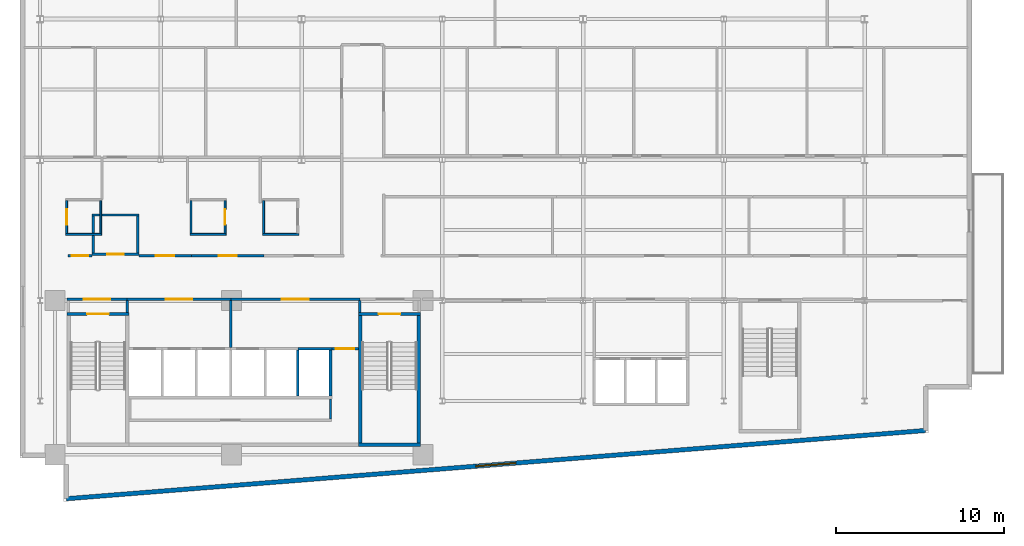
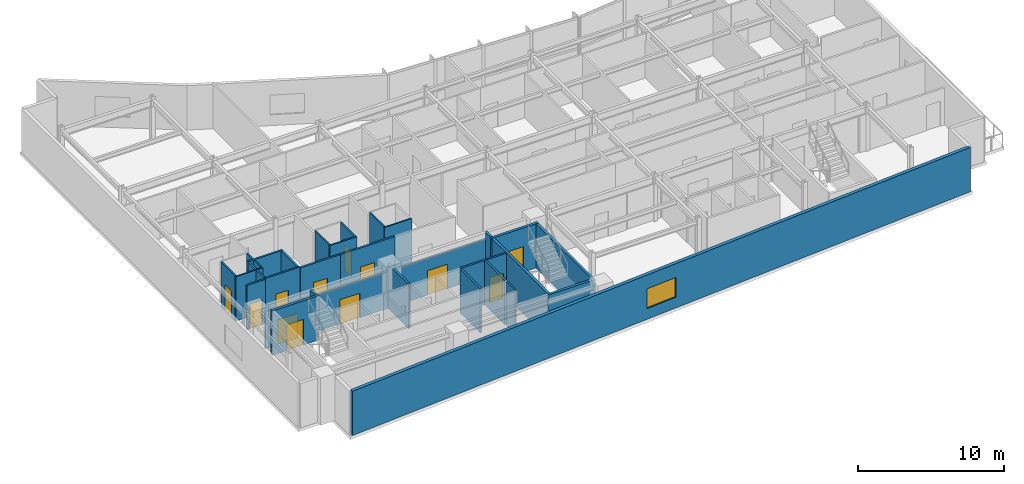
# One storey, part 9 of 17: 32 walls, 12 doors, 1 window, 13 openings.
"""IFC4 building model written with IfcOpenShell, lengths in metres."""

import ifcopenshell
import ifcopenshell.guid

model = None  # the IFC model being written
_history = None  # IfcOwnerHistory: only IFC2X3 demands one
_inside = {}  # id of a spatial element -> (the spatial element, [elements in it])
_under = {}  # id of a project, library or spatial element -> (it, [spatial elements below it])
_declared = {}  # id of a project -> (the project, [libraries it declares])
_typed = {}  # id of a type object -> (the type object, [elements of that type])
_made_of = {}  # id of a material, layer set ... -> (it, [elements and type objects made of it])


def new_model(schema):
    """Start an empty IFC model of exactly this schema.

    Asked for "IFC4X3", IfcOpenShell would pick the latest addendum, in which some entities
    have other attributes; the version numbers below select the first issue.
    IFC2X3 requires an IfcOwnerHistory on every rooted entity: one is made here for all.
    """
    global model, _history
    if schema == "IFC4X3":
        model = ifcopenshell.file(schema_version=(4, 3, 0, 0))
    else:
        model = ifcopenshell.file(schema=schema)
    _inside.clear()
    _under.clear()
    _declared.clear()
    _typed.clear()
    _made_of.clear()
    _history = None
    if model.schema == "IFC2X3":
        org = make("IfcOrganization", Name="unknown")
        user = make(
            "IfcPersonAndOrganization",
            ThePerson=make("IfcPerson", FamilyName="unknown"),
            TheOrganization=org,
        )
        app = make(
            "IfcApplication",
            ApplicationDeveloper=org,
            Version="unknown",
            ApplicationFullName="unknown",
            ApplicationIdentifier="unknown",
        )
        _history = make(
            "IfcOwnerHistory",
            OwningUser=user,
            OwningApplication=app,
            ChangeAction="ADDED",
            CreationDate=0,
        )
    return model


def make(cls, **values):
    """One entity of the class cls with the attributes given. An attribute that is None is left unset."""
    return model.create_entity(
        cls, **{name: value for name, value in values.items() if value is not None}
    )


def rooted(cls, **values):
    """An entity with a GlobalId (a new one), such as an element, a storey or a relation."""
    return make(cls, GlobalId=ifcopenshell.guid.new(), OwnerHistory=_history, **values)


def si_unit(unit_type, name, prefix=None):
    """IfcSIUnit, for example si_unit("LENGTHUNIT", "METRE", prefix="MILLI")."""
    return make("IfcSIUnit", UnitType=unit_type, Prefix=prefix, Name=name)


def assignment(units):
    """IfcUnitAssignment: the units of a project."""
    return None if units is None else make("IfcUnitAssignment", Units=units)


def point(xyz):
    """IfcCartesianPoint."""
    return None if xyz is None else make("IfcCartesianPoint", Coordinates=xyz)


def direction(xyz):
    """IfcDirection."""
    return None if xyz is None else make("IfcDirection", DirectionRatios=xyz)


def frame(location, z_axis=None, x_axis=None):
    """IfcAxis2Placement3D, a coordinate frame: its origin and axes. An axis left out is left unset."""
    return make(
        "IfcAxis2Placement3D",
        Location=point(location),
        Axis=direction(z_axis),
        RefDirection=direction(x_axis),
    )


def frame_2d(location, x_axis=None):
    """IfcAxis2Placement2D, a coordinate frame in the plane: its origin and x axis."""
    return make(
        "IfcAxis2Placement2D", Location=point(location), RefDirection=direction(x_axis)
    )


def origin():
    """The frame at (0, 0, 0) with its axes left unset."""
    return frame((0.0, 0.0, 0.0))


def place(relative_to, where):
    """IfcLocalPlacement: puts the frame where relative to a parent placement (None: the world)."""
    return make(
        "IfcLocalPlacement", PlacementRelTo=relative_to, RelativePlacement=where
    )


def context(
    kind, dimensions, precision=None, world=None, true_north=None, identifier=None
):
    """IfcGeometricRepresentationContext, for example the 3D "Model" context."""
    return make(
        "IfcGeometricRepresentationContext",
        ContextIdentifier=identifier,
        ContextType=kind,
        CoordinateSpaceDimension=dimensions,
        Precision=precision,
        WorldCoordinateSystem=world,
        TrueNorth=true_north,
    )


def subcontext(parent, identifier, kind, view, scale=None):
    """IfcGeometricRepresentationSubContext, for example "Body" below "Model"."""
    return make(
        "IfcGeometricRepresentationSubContext",
        ContextIdentifier=identifier,
        ContextType=kind,
        ParentContext=parent,
        TargetScale=scale,
        TargetView=view,
    )


def project(units=None, contexts=None):
    """IfcProject with its units and contexts."""
    return rooted(
        "IfcProject",
        Name="project",
        RepresentationContexts=contexts,
        UnitsInContext=assignment(units),
    )


def spatial(cls, under=None, at=None, **own):
    """A site, building, storey or space (cls), placed at a placement, below another one or the project."""
    s = rooted(cls, ObjectPlacement=at, **own)
    if under is not None:
        _under.setdefault(under.id(), (under, []))[1].append(s)
    return s


def profile(cls, at=None, kind="AREA", **sizes):
    """A parametric profile (cls). Its sizes go by their IFC names, for example OverallWidth=200.0."""
    return make(cls, ProfileType=kind, Position=at, **sizes)


def rectangle(**sizes):
    """IfcRectangleProfileDef."""
    return profile("IfcRectangleProfileDef", **sizes)


def extrude(swept, where, along, depth):
    """IfcExtrudedAreaSolid: the profile swept, set in the frame where, extruded along a direction by depth."""
    return make(
        "IfcExtrudedAreaSolid",
        SweptArea=swept,
        Position=where,
        ExtrudedDirection=direction(along),
        Depth=depth,
    )


def shape(context_of_items, identifier, shape_type, items):
    """IfcShapeRepresentation: the items that make up one representation, for example the "Body"."""
    return make(
        "IfcShapeRepresentation",
        ContextOfItems=context_of_items,
        RepresentationIdentifier=identifier,
        RepresentationType=shape_type,
        Items=items,
    )


def material(Name=None, Category=None):
    """IfcMaterial."""
    return make("IfcMaterial", Name=Name, Category=Category)


def layer(
    of_material, thickness, ventilated=None, Name=None, Category=None, Priority=None
):
    """IfcMaterialLayer: one layer of a wall or slab, of a material (None: an air gap)."""
    return make(
        "IfcMaterialLayer",
        Material=of_material,
        LayerThickness=thickness,
        IsVentilated=ventilated,
        Name=Name,
        Category=Category,
        Priority=Priority,
    )


def layer_set(layers, Name=None):
    """IfcMaterialLayerSet."""
    return make("IfcMaterialLayerSet", MaterialLayers=layers, LayerSetName=Name)


def made_of(thing, what):
    """Note that an element or type object is made of a material, layer set ...; save() writes the relation."""
    if what is not None:
        _made_of.setdefault(what.id(), (what, []))[1].append(thing)
    return thing


def type_object(cls, material=None, **own):
    """A type object (cls), such as IfcWallType, which elements share."""
    return made_of(rooted(cls, **own), material)


def element(
    cls,
    number,
    at=None,
    inside=None,
    cuts=None,
    type_object=None,
    material=None,
    context=None,
    identifier="Body",
    shape_type=None,
    held_by="IfcProductDefinitionShape",
    body=None,
    shapes=None,
    **own,
):
    """One element of the class cls, such as IfcWall. Its Tag is "e" and its number.

    at: its placement. inside: the storey or other place that contains it. cuts: it is an
    opening in that element (IfcRelVoidsElement). A single representation is given by context,
    identifier, shape_type and body (its items); several are given by shapes. held_by: the class
    of the entity that holds the representations. save() writes the other relations.
    """
    e = rooted(cls, Tag="e%d" % number, ObjectPlacement=at, **own)
    if body is not None:
        shapes = [shape(context, identifier, shape_type, body)]
    if shapes is not None:
        e.Representation = make(held_by, Representations=shapes)
    if inside is not None:
        _inside.setdefault(inside.id(), (inside, []))[1].append(e)
    if cuts is not None:
        rooted(
            "IfcRelVoidsElement", RelatingBuildingElement=cuts, RelatedOpeningElement=e
        )
    if type_object is not None:
        _typed.setdefault(type_object.id(), (type_object, []))[1].append(e)
    return made_of(e, material)


def fill(opening, filler):
    """IfcRelFillsElement: the door or window that sits in an opening."""
    return rooted(
        "IfcRelFillsElement",
        RelatingOpeningElement=opening,
        RelatedBuildingElement=filler,
    )


def aggregate(whole, parts):
    """IfcRelAggregates: a whole, such as a stair, and the parts it consists of."""
    return rooted("IfcRelAggregates", RelatingObject=whole, RelatedObjects=parts)


def save(model, path):
    """Write the relations noted so far, then the file.

    IfcRelAggregates (storeys below a building ...), IfcRelContainedInSpatialStructure (elements
    in a storey), IfcRelDefinesByType, IfcRelAssociatesMaterial and IfcRelDeclares: one each for
    every whole, place, type object, material and project.
    """
    for whole, parts in _under.values():
        aggregate(whole, parts)
    for where, things in _inside.values():
        rooted(
            "IfcRelContainedInSpatialStructure",
            RelatedElements=things,
            RelatingStructure=where,
        )
    for kind, things in _typed.values():
        rooted("IfcRelDefinesByType", RelatedObjects=things, RelatingType=kind)
    for what, things in _made_of.values():
        rooted("IfcRelAssociatesMaterial", RelatedObjects=things, RelatingMaterial=what)
    for by, libraries in _declared.values():
        rooted("IfcRelDeclares", RelatingContext=by, RelatedDefinitions=libraries)
    model.write(path)


model = new_model("IFC4")

# Units and contexts
model_context = context("Model", 3, precision=1e-05, world=origin(), true_north=direction((0.0, 1.0)))
body_context = subcontext(model_context, "Body", "Model", "MODEL_VIEW")
ifc_project = project(units=[si_unit("LENGTHUNIT", "METRE"), si_unit("AREAUNIT", "SQUARE_METRE"), si_unit("VOLUMEUNIT", "CUBIC_METRE"), si_unit("PLANEANGLEUNIT", "RADIAN"), si_unit("MASSUNIT", "GRAM", prefix="KILO")], contexts=[model_context])

# Site, building, storey
site_placement = place(None, origin())
site = spatial("IfcSite", under=ifc_project, at=site_placement, CompositionType="ELEMENT")
building_placement = place(site_placement, origin())
building = spatial("IfcBuilding", under=site, at=building_placement, Name="Varnakote Quay Hospital", CompositionType="ELEMENT")
storey_placement = place(building_placement, frame((0.0, 0.0, 111.25)))
storey = spatial("IfcBuildingStorey", under=building, at=storey_placement, Name="L27", CompositionType="ELEMENT", Elevation=111.25)

# Wall, opening, door
ifc_material_1 = material(Name="Fire-rated acoustic gypsum stud wall", Category="gypsum")
ifc_layer_1 = layer(ifc_material_1, 0.159912109375)
ifc_layer_set_1 = layer_set([ifc_layer_1], Name="Fire-rated acoustic gypsum stud wall")
wall_type_1 = type_object("IfcWallType", Name="WL-COMP-160", PredefinedType="PARTITIONING", material=ifc_layer_set_1)
wall_1_placement = place(storey_placement, frame((2.800048828125, 12.080078125, 0.0), z_axis=(0.0, 0.0, 1.0), x_axis=(1.0, 0.0, 0.0)))
wall_1 = element("IfcWall", 1, at=wall_1_placement, inside=storey, type_object=wall_type_1, Name="L27 West Stair Vestibule Smoke Wall", PredefinedType="PARTITIONING", context=body_context, shape_type="SweptSolid", body=[
    extrude(rectangle(XDim=3.599853515625, YDim=0.159912109375, at=frame_2d((1.7998046875, 0.0))), origin(), (0.0, 0.0, 1.0), 3.0830078125),
])
opening_1_placement = place(wall_1_placement, frame((1.0, 0.0, 0.0)))
opening_1 = element("IfcOpeningElement", 2, at=opening_1_placement, cuts=wall_1, Name="Opening D-ST1L-L27", PredefinedType="OPENING", context=body_context, shape_type="SweptSolid", body=[
    extrude(rectangle(XDim=1.60009765625, YDim=2.050048828125, at=frame_2d((0.800048828125, 1.02490234375))), frame((0.0, 0.08984375, 0.0), z_axis=(0.0, -1.0, 0.0), x_axis=(1.0, 0.0, 0.0)), (0.0, 0.0, 1.0), 0.179931640625),
])
ifc_material_2 = material(Name="Fire-rated double smoke lobby door")
door_type_1 = type_object("IfcDoorType", Name="DR-LOBBY-FD60S-1600x2150", OperationType="NOTDEFINED", PredefinedType="DOOR", material=ifc_material_2)
door_1_placement = place(opening_1_placement, origin())
door_1 = element("IfcDoor", 3, at=door_1_placement, inside=storey, type_object=door_type_1, Name="L27 West Stair Vestibule Smoke Door", OperationType="DOUBLE_DOOR_SINGLE_SWING", OverallHeight=2.050048828125, OverallWidth=1.60009765625, PredefinedType="DOOR", context=body_context, shape_type="SweptSolid", body=[
    extrude(rectangle(XDim=1.60009765625, YDim=2.050048828125, at=frame_2d((0.800048828125, 1.02490234375))), frame((0.0, 0.02490234375, 0.0), z_axis=(0.0, -1.0, 0.0), x_axis=(1.0, 0.0, 0.0)), (0.0, 0.0, 1.0), 0.050048828125),
])
fill(opening_1, door_1)

# Wall
wall_2_placement = place(storey_placement, frame((6.39990234375, 11.300048828125, 0.0), z_axis=(0.0, 0.0, 1.0), x_axis=(0.0, 1.0, 0.0)))
element("IfcWall", 4, at=wall_2_placement, inside=storey, type_object=wall_type_1, Name="L27 Firefighting Lobby West Wall", PredefinedType="PARTITIONING", context=body_context, shape_type="SweptSolid", body=[
    extrude(rectangle(XDim=0.699951171875, YDim=0.159912109375, at=frame_2d((0.35009765625, 0.0))), origin(), (0.0, 0.0, 1.0), 3.7099609375),
])

# Wall, opening, door
wall_3_placement = place(storey_placement, frame((6.39990234375, 12.080078125, 0.0), z_axis=(0.0, 0.0, 1.0), x_axis=(1.0, 0.0, 0.0)))
wall_3 = element("IfcWall", 5, at=wall_3_placement, inside=storey, type_object=wall_type_1, Name="L27 Firefighting Lift Lobby Compartment Wall", PredefinedType="PARTITIONING", context=body_context, shape_type="SweptSolid", body=[
    extrude(rectangle(XDim=6.18017578125, YDim=0.159912109375, at=frame_2d((3.090087890625, 0.0))), origin(), (0.0, 0.0, 1.0), 3.0830078125),
])
opening_2_placement = place(wall_3_placement, frame((2.2900390625, 0.0, 0.0)))
opening_2 = element("IfcOpeningElement", 6, at=opening_2_placement, cuts=wall_3, Name="Opening D-FFL-L27", PredefinedType="OPENING", context=body_context, shape_type="SweptSolid", body=[
    extrude(rectangle(XDim=1.60009765625, YDim=2.050048828125, at=frame_2d((0.800048828125, 1.02490234375))), frame((0.0, 0.08984375, 0.0), z_axis=(0.0, -1.0, 0.0), x_axis=(1.0, 0.0, 0.0)), (0.0, 0.0, 1.0), 0.179931640625),
])
door_2_placement = place(opening_2_placement, origin())
door_2 = element("IfcDoor", 7, at=door_2_placement, inside=storey, type_object=door_type_1, Name="L27 Firefighting Smoke Vestibule Door", OperationType="DOUBLE_DOOR_SINGLE_SWING", OverallHeight=2.050048828125, OverallWidth=1.60009765625, PredefinedType="DOOR", context=body_context, shape_type="SweptSolid", body=[
    extrude(rectangle(XDim=1.60009765625, YDim=2.050048828125, at=frame_2d((0.800048828125, 1.02490234375))), frame((0.0, 0.02490234375, 0.0), z_axis=(0.0, -1.0, 0.0), x_axis=(1.0, 0.0, 0.0)), (0.0, 0.0, 1.0), 0.050048828125),
])
fill(opening_2, door_2)

# Wall
wall_4_placement = place(storey_placement, frame((12.580078125, 9.2099609375, 0.0), z_axis=(0.0, 0.0, 1.0), x_axis=(0.0, 1.0, 0.0)))
element("IfcWall", 8, at=wall_4_placement, inside=storey, type_object=wall_type_1, Name="L27 Firefighting to Service Lobby Wall", PredefinedType="PARTITIONING", context=body_context, shape_type="SweptSolid", body=[
    extrude(rectangle(XDim=2.7900390625, YDim=0.159912109375, at=frame_2d((1.39501953125, 0.0))), origin(), (0.0, 0.0, 1.0), 3.7099609375),
])

# Wall, opening, door
wall_5_placement = place(storey_placement, frame((12.580078125, 12.080078125, 0.0), z_axis=(0.0, 0.0, 1.0), x_axis=(1.0, 0.0, 0.0)))
wall_5 = element("IfcWall", 9, at=wall_5_placement, inside=storey, type_object=wall_type_1, Name="L27 Clinical Bed Lift Lobby Wall", PredefinedType="PARTITIONING", context=body_context, shape_type="SweptSolid", body=[
    extrude(rectangle(XDim=7.699951171875, YDim=0.159912109375, at=frame_2d((3.85009765625, 0.0))), origin(), (0.0, 0.0, 1.0), 3.0830078125),
])
opening_3_placement = place(wall_5_placement, frame((3.050048828125, 0.0, 0.0)))
opening_3 = element("IfcOpeningElement", 10, at=opening_3_placement, cuts=wall_5, Name="Opening D-SVL-L27", PredefinedType="OPENING", context=body_context, shape_type="SweptSolid", body=[
    extrude(rectangle(XDim=1.60009765625, YDim=2.050048828125, at=frame_2d((0.800048828125, 1.02490234375))), frame((0.0, 0.08984375, 0.0), z_axis=(0.0, -1.0, 0.0), x_axis=(1.0, 0.0, 0.0)), (0.0, 0.0, 1.0), 0.179931640625),
])
door_3_placement = place(opening_3_placement, origin())
door_3 = element("IfcDoor", 11, at=door_3_placement, inside=storey, type_object=door_type_1, Name="L27 Clinical Core Smoke Vestibule Door", OperationType="DOUBLE_DOOR_SINGLE_SWING", OverallHeight=2.050048828125, OverallWidth=1.60009765625, PredefinedType="DOOR", context=body_context, shape_type="SweptSolid", body=[
    extrude(rectangle(XDim=1.60009765625, YDim=2.050048828125, at=frame_2d((0.800048828125, 1.02490234375))), frame((0.0, 0.02490234375, 0.0), z_axis=(0.0, -1.0, 0.0), x_axis=(1.0, 0.0, 0.0)), (0.0, 0.0, 1.0), 0.050048828125),
])
fill(opening_3, door_3)

# Walls
wall_6_placement = place(storey_placement, frame((20.280029296875, 11.300048828125, 0.0), z_axis=(0.0, 0.0, 1.0), x_axis=(0.0, 1.0, 0.0)))
element("IfcWall", 12, at=wall_6_placement, inside=storey, type_object=wall_type_1, Name="L27 East Stair Vestibule Divider Wall", PredefinedType="PARTITIONING", context=body_context, shape_type="SweptSolid", body=[
    extrude(rectangle(XDim=0.699951171875, YDim=0.159912109375, at=frame_2d((0.35009765625, 0.0))), origin(), (0.0, 0.0, 1.0), 3.7099609375),
])
ifc_material_3 = material(Name="Moisture-resistant bathroom partition", Category="gypsum")
ifc_layer_2 = layer(ifc_material_3, 0.114990234375)
ifc_layer_set_2 = layer_set([ifc_layer_2], Name="Moisture-resistant bathroom partition")
wall_type_2 = type_object("IfcWallType", Name="WL-ENS-115", PredefinedType="PARTITIONING", material=ifc_layer_set_2)
wall_7_placement = place(storey_placement, frame((2.72509765625, 15.952392578125, 0.0), z_axis=(0.0, 0.0, 1.0), x_axis=(1.0, 0.0, 0.0)))
element("IfcWall", 13, at=wall_7_placement, inside=storey, type_object=wall_type_2, Name="L27 Inpatient En-Suite Bathroom 01 S Wall", PredefinedType="PARTITIONING", context=body_context, shape_type="SweptSolid", body=[
    extrude(rectangle(XDim=2.14990234375, YDim=0.114990234375, at=frame_2d((1.074951171875, 0.0))), origin(), (0.0, 0.0, 1.0), 3.7099609375),
])

# Wall, opening, door
wall_8_placement = place(storey_placement, frame((2.782470703125, 16.010009765625, 0.0), z_axis=(0.0, 0.0, 1.0), x_axis=(0.0, 1.0, 0.0)))
wall_8 = element("IfcWall", 14, at=wall_8_placement, inside=storey, type_object=wall_type_2, Name="L27 Inpatient En-Suite Bathroom 01 W Wall", PredefinedType="PARTITIONING", context=body_context, shape_type="SweptSolid", body=[
    extrude(rectangle(XDim=1.949951171875, YDim=0.114990234375, at=frame_2d((0.97509765625, 0.0))), origin(), (0.0, 0.0, 1.0), 3.7099609375),
])
opening_4_placement = place(wall_8_placement, frame((0.514892578125, 0.0, 0.0)))
opening_4 = element("IfcOpeningElement", 15, at=opening_4_placement, cuts=wall_8, Name="Opening D-L27-ENS01", PredefinedType="OPENING", context=body_context, shape_type="SweptSolid", body=[
    extrude(rectangle(XDim=0.919921875, YDim=2.10009765625, at=frame_2d((0.4599609375, 1.050048828125))), frame((0.0, 0.0673828125, 0.0), z_axis=(0.0, -1.0, 0.0), x_axis=(1.0, 0.0, 0.0)), (0.0, 0.0, 1.0), 0.135009765625),
])
ifc_material_4 = material(Name="Moisture-sealed en-suite bathroom door")
door_type_2 = type_object("IfcDoorType", Name="DR-ENS-920x2100", OperationType="NOTDEFINED", PredefinedType="DOOR", material=ifc_material_4)
door_4_placement = place(opening_4_placement, origin())
door_4 = element("IfcDoor", 16, at=door_4_placement, inside=storey, type_object=door_type_2, Name="L27 Inpatient En-Suite Bathroom 01 Door", OperationType="SINGLE_SWING_RIGHT", OverallHeight=2.10009765625, OverallWidth=0.919921875, PredefinedType="DOOR", context=body_context, shape_type="SweptSolid", body=[
    extrude(rectangle(XDim=0.919921875, YDim=2.10009765625, at=frame_2d((0.4599609375, 1.050048828125))), frame((0.0, 0.02490234375, 0.0), z_axis=(0.0, -1.0, 0.0), x_axis=(1.0, 0.0, 0.0)), (0.0, 0.0, 1.0), 0.050048828125),
])
fill(opening_4, door_4)

# Walls
wall_9_placement = place(storey_placement, frame((4.8173828125, 16.010009765625, 0.0), z_axis=(0.0, 0.0, 1.0), x_axis=(0.0, 1.0, 0.0)))
element("IfcWall", 17, at=wall_9_placement, inside=storey, type_object=wall_type_2, Name="L27 Inpatient En-Suite Bathroom 01 E Wall", PredefinedType="PARTITIONING", context=body_context, shape_type="SweptSolid", body=[
    extrude(rectangle(XDim=1.949951171875, YDim=0.114990234375, at=frame_2d((0.97509765625, 0.0))), origin(), (0.0, 0.0, 1.0), 3.7099609375),
])
wall_10_placement = place(storey_placement, frame((10.14501953125, 15.952392578125, 0.0), z_axis=(0.0, 0.0, 1.0), x_axis=(1.0, 0.0, 0.0)))
element("IfcWall", 18, at=wall_10_placement, inside=storey, type_object=wall_type_2, Name="L27 Inpatient En-Suite Bathroom 02 S Wall", PredefinedType="PARTITIONING", context=body_context, shape_type="SweptSolid", body=[
    extrude(rectangle(XDim=2.14990234375, YDim=0.114990234375, at=frame_2d((1.074951171875, 0.0))), origin(), (0.0, 0.0, 1.0), 3.7099609375),
])
wall_11_placement = place(storey_placement, frame((10.202392578125, 16.010009765625, 0.0), z_axis=(0.0, 0.0, 1.0), x_axis=(0.0, 1.0, 0.0)))
element("IfcWall", 19, at=wall_11_placement, inside=storey, type_object=wall_type_2, Name="L27 Inpatient En-Suite Bathroom 02 W Wall", PredefinedType="PARTITIONING", context=body_context, shape_type="SweptSolid", body=[
    extrude(rectangle(XDim=1.949951171875, YDim=0.114990234375, at=frame_2d((0.97509765625, 0.0))), origin(), (0.0, 0.0, 1.0), 3.7099609375),
])

# Wall, opening, door
wall_12_placement = place(storey_placement, frame((12.237548828125, 16.010009765625, 0.0), z_axis=(0.0, 0.0, 1.0), x_axis=(0.0, 1.0, 0.0)))
wall_12 = element("IfcWall", 20, at=wall_12_placement, inside=storey, type_object=wall_type_2, Name="L27 Inpatient En-Suite Bathroom 02 E Wall", PredefinedType="PARTITIONING", context=body_context, shape_type="SweptSolid", body=[
    extrude(rectangle(XDim=1.949951171875, YDim=0.114990234375, at=frame_2d((0.97509765625, 0.0))), origin(), (0.0, 0.0, 1.0), 3.7099609375),
])
opening_5_placement = place(wall_12_placement, frame((0.514892578125, 0.0, 0.0)))
opening_5 = element("IfcOpeningElement", 21, at=opening_5_placement, cuts=wall_12, Name="Opening D-L27-ENS02", PredefinedType="OPENING", context=body_context, shape_type="SweptSolid", body=[
    extrude(rectangle(XDim=0.919921875, YDim=2.10009765625, at=frame_2d((0.4599609375, 1.050048828125))), frame((0.0, 0.0673828125, 0.0), z_axis=(0.0, -1.0, 0.0), x_axis=(1.0, 0.0, 0.0)), (0.0, 0.0, 1.0), 0.135009765625),
])
door_5_placement = place(opening_5_placement, origin())
door_5 = element("IfcDoor", 22, at=door_5_placement, inside=storey, type_object=door_type_2, Name="L27 Inpatient En-Suite Bathroom 02 Door", OperationType="SINGLE_SWING_LEFT", OverallHeight=2.10009765625, OverallWidth=0.919921875, PredefinedType="DOOR", context=body_context, shape_type="SweptSolid", body=[
    extrude(rectangle(XDim=0.919921875, YDim=2.10009765625, at=frame_2d((0.4599609375, 1.050048828125))), frame((0.0, 0.02490234375, 0.0), z_axis=(0.0, -1.0, 0.0), x_axis=(1.0, 0.0, 0.0)), (0.0, 0.0, 1.0), 0.050048828125),
])
fill(opening_5, door_5)

# Walls
wall_13_placement = place(storey_placement, frame((14.485107421875, 15.952392578125, 0.0), z_axis=(0.0, 0.0, 1.0), x_axis=(1.0, 0.0, 0.0)))
element("IfcWall", 23, at=wall_13_placement, inside=storey, type_object=wall_type_2, Name="L27 Inpatient En-Suite Bathroom 03 S Wall", PredefinedType="PARTITIONING", context=body_context, shape_type="SweptSolid", body=[
    extrude(rectangle(XDim=2.14990234375, YDim=0.114990234375, at=frame_2d((1.074951171875, 0.0))), origin(), (0.0, 0.0, 1.0), 3.7099609375),
])
wall_14_placement = place(storey_placement, frame((14.54248046875, 16.010009765625, 0.0), z_axis=(0.0, 0.0, 1.0), x_axis=(0.0, 1.0, 0.0)))
element("IfcWall", 24, at=wall_14_placement, inside=storey, type_object=wall_type_2, Name="L27 Inpatient En-Suite Bathroom 03 W Wall", PredefinedType="PARTITIONING", context=body_context, shape_type="SweptSolid", body=[
    extrude(rectangle(XDim=1.949951171875, YDim=0.114990234375, at=frame_2d((0.97509765625, 0.0))), origin(), (0.0, 0.0, 1.0), 3.7099609375),
])

# Wall, opening, window
ifc_material_5 = material(Name="Precast concrete N50 (f'c 50 MPa)", Category="concrete")
ifc_layer_3 = layer(ifc_material_5, 0.260009765625)
ifc_layer_set_3 = layer_set([ifc_layer_3], Name="Precast concrete N50 (f'c 50 MPa)")
wall_type_3 = type_object("IfcWallType", Name="WL-EXT-BRICK-260", PredefinedType="STANDARD", material=ifc_layer_set_3)
wall_15_placement = place(storey_placement, frame((2.760009765625, 0.173095703125, 0.0), z_axis=(0.0, 0.0, 1.0), x_axis=(0.996857931723, 0.079210251617, 0.0)))
wall_15 = element("IfcWall", 25, at=wall_15_placement, inside=storey, type_object=wall_type_3, Name="L27 Brick-Faced Precast Exterior Wall", PredefinedType="STANDARD", context=body_context, shape_type="SweptSolid", body=[
    extrude(rectangle(XDim=51.441650390625, YDim=0.260009765625, at=frame_2d((25.720703125, 0.0))), origin(), (0.0, 0.0, 1.0), 3.7099609375),
])
opening_6_placement = place(wall_15_placement, frame((24.520751953125, 0.0, 0.89990234375)))
opening_6 = element("IfcOpeningElement", 26, at=opening_6_placement, cuts=wall_15, Name="Opening WN-0118", PredefinedType="OPENING", context=body_context, shape_type="SweptSolid", body=[
    extrude(rectangle(XDim=2.39990234375, YDim=1.64990234375, at=frame_2d((1.199951171875, 0.824951171875))), frame((0.0, 0.139892578125, 0.0), z_axis=(0.0, -1.0, 0.0), x_axis=(1.0, 0.0, 0.0)), (0.0, 0.0, 1.0), 0.280029296875),
])
ifc_material_6 = material(Name="Double-glazed low-E solar glass", Category="glass")
window_type = type_object("IfcWindowType", Name="WIN-CLIN-2400x1650", PartitioningType="SINGLE_PANEL", PredefinedType="WINDOW", material=ifc_material_6)
window_placement = place(opening_6_placement, origin())
window = element("IfcWindow", 27, at=window_placement, inside=storey, type_object=window_type, Name="L27 Solar-Control Clinical Window", OverallHeight=1.64990234375, OverallWidth=2.39990234375, PartitioningType="SINGLE_PANEL", PredefinedType="WINDOW", context=body_context, shape_type="SweptSolid", body=[
    extrude(rectangle(XDim=2.39990234375, YDim=1.64990234375, at=frame_2d((1.199951171875, 0.824951171875))), frame((0.0, 0.030029296875, 0.0), z_axis=(0.0, -1.0, 0.0), x_axis=(1.0, 0.0, 0.0)), (0.0, 0.0, 1.0), 0.06005859375),
])
fill(opening_6, window)

# Walls
ifc_material_7 = material(Name="Concrete N50 (f'c 50 MPa)", Category="concrete")
ifc_layer_4 = layer(ifc_material_7, 0.14990234375)
ifc_layer_set_4 = layer_set([ifc_layer_4], Name="Concrete N50 (f'c 50 MPa)")
wall_type_4 = type_object("IfcWallType", Name="WL-SHAFT-N50-150", PredefinedType="SHEAR", material=ifc_layer_set_4)
wall_16_placement = place(storey_placement, frame((16.574951171875, 6.300048828125, 0.0), z_axis=(0.0, 0.0, 1.0), x_axis=(0.0, 1.0, 0.0)))
element("IfcWall", 28, at=wall_16_placement, inside=storey, type_object=wall_type_4, Name="L27 LF-PH1 Hoistway Divider Wall", PredefinedType="SHEAR", context=body_context, shape_type="SweptSolid", body=[
    extrude(rectangle(XDim=2.75, YDim=0.14990234375, at=frame_2d((1.375, 0.0))), origin(), (0.0, 0.0, 1.0), 3.7099609375),
])
ifc_material_8 = material(Name="Concrete N50 (f'c 50 MPa)", Category="concrete")
ifc_layer_5 = layer(ifc_material_8, 0.159912109375)
ifc_layer_set_5 = layer_set([ifc_layer_5], Name="Concrete N50 (f'c 50 MPa)")
wall_type_5 = type_object("IfcWallType", Name="WL-SHAFT-N50-160", PredefinedType="SHEAR", material=ifc_layer_set_5)
wall_17_placement = place(storey_placement, frame((18.530029296875, 6.300048828125, 0.0), z_axis=(0.0, 0.0, 1.0), x_axis=(0.0, 1.0, 0.0)))
element("IfcWall", 29, at=wall_17_placement, inside=storey, type_object=wall_type_5, Name="L27 REAR Lift Bank East Shear Wall", PredefinedType="SHEAR", context=body_context, shape_type="SweptSolid", body=[
    extrude(rectangle(XDim=2.75, YDim=0.159912109375, at=frame_2d((1.375, 0.0))), origin(), (0.0, 0.0, 1.0), 3.7099609375),
])
wall_18_placement = place(storey_placement, frame((16.574951171875, 9.1298828125, 0.0), z_axis=(0.0, 0.0, 1.0), x_axis=(1.0, 0.0, 0.0)))
element("IfcWall", 30, at=wall_18_placement, inside=storey, type_object=wall_type_5, Name="L27 LF-PH2 Hoistway Front Wall", PredefinedType="SHEAR", context=body_context, shape_type="SweptSolid", body=[
    extrude(rectangle(XDim=2.03515625, YDim=0.159912109375, at=frame_2d((1.017578125, 0.0))), origin(), (0.0, 0.0, 1.0), 3.7099609375),
])

# Wall, opening, door
ifc_material_9 = material(Name="Concrete N50 (f'c 50 MPa)", Category="concrete")
ifc_layer_6 = layer(ifc_material_9, 0.199951171875)
ifc_layer_set_6 = layer_set([ifc_layer_6], Name="Concrete N50 (f'c 50 MPa)")
wall_type_6 = type_object("IfcWallType", Name="WL-SHAFT-N50-200", PredefinedType="SHEAR", material=ifc_layer_set_6)
wall_19_placement = place(storey_placement, frame((2.800048828125, 11.199951171875, 0.0), z_axis=(0.0, 0.0, 1.0), x_axis=(1.0, 0.0, 0.0)))
wall_19 = element("IfcWall", 31, at=wall_19_placement, inside=storey, type_object=wall_type_6, Name="L27 Stair ST1 Exit Wall", PredefinedType="SHEAR", context=body_context, shape_type="SweptSolid", body=[
    extrude(rectangle(XDim=3.699951171875, YDim=0.199951171875, at=frame_2d((1.85009765625, 0.0))), origin(), (0.0, 0.0, 1.0), 3.7099609375),
])
opening_7_placement = place(wall_19_placement, frame((1.199951171875, 0.0, 0.0)))
opening_7 = element("IfcOpeningElement", 32, at=opening_7_placement, cuts=wall_19, Name="Opening D-ST1-L27", PredefinedType="OPENING", context=body_context, shape_type="SweptSolid", body=[
    extrude(rectangle(XDim=1.300048828125, YDim=2.14990234375, at=frame_2d((0.64990234375, 1.074951171875))), frame((0.0, 0.10986328125, 0.0), z_axis=(0.0, -1.0, 0.0), x_axis=(1.0, 0.0, 0.0)), (0.0, 0.0, 1.0), 0.219970703125),
])
ifc_material_10 = material(Name="Fire-rated ceramic-glazed timber exit door", Category="wood")
door_type_3 = type_object("IfcDoorType", Name="DR-STAIR-FD60S-1300x2150", OperationType="NOTDEFINED", PredefinedType="DOOR", material=ifc_material_10)
door_6_placement = place(opening_7_placement, origin())
door_6 = element("IfcDoor", 33, at=door_6_placement, inside=storey, type_object=door_type_3, Name="L27 Stair ST1 Fire Exit Door", OperationType="SINGLE_SWING_RIGHT", OverallHeight=2.14990234375, OverallWidth=1.300048828125, PredefinedType="DOOR", context=body_context, shape_type="SweptSolid", body=[
    extrude(rectangle(XDim=1.300048828125, YDim=2.14990234375, at=frame_2d((0.64990234375, 1.074951171875))), frame((0.0, 0.02490234375, 0.0), z_axis=(0.0, -1.0, 0.0), x_axis=(1.0, 0.0, 0.0)), (0.0, 0.0, 1.0), 0.050048828125),
])
fill(opening_7, door_6)

# Walls
wall_20_placement = place(storey_placement, frame((20.199951171875, 3.39990234375, 0.0), z_axis=(0.0, 0.0, 1.0), x_axis=(1.0, 0.0, 0.0)))
element("IfcWall", 34, at=wall_20_placement, inside=storey, type_object=wall_type_6, Name="L27 Stair ST2 South Shaft Wall", PredefinedType="SHEAR", context=body_context, shape_type="SweptSolid", body=[
    extrude(rectangle(XDim=3.699951171875, YDim=0.199951171875, at=frame_2d((1.85009765625, 0.0))), origin(), (0.0, 0.0, 1.0), 3.7099609375),
])
for number, where, z_axis, x_axis, name in (
    (35, (20.300048828125, 3.5, 0.0), (0.0, 0.0, 1.0), (0.0, 1.0, 0.0), "L27 Stair ST2 West Shaft Wall"),
    (36, (23.800048828125, 3.5, 0.0), (0.0, 0.0, 1.0), (0.0, 1.0, 0.0), "L27 Stair ST2 East Shaft Wall"),
):
    element("IfcWall", number, at=place(storey_placement, frame(where, z_axis=z_axis, x_axis=x_axis)), inside=storey, type_object=wall_type_6, Name=name, PredefinedType="SHEAR", context=body_context, shape_type="SweptSolid", body=[
        extrude(rectangle(XDim=7.60009765625, YDim=0.199951171875, at=frame_2d((3.800048828125, 0.0))), origin(), (0.0, 0.0, 1.0), 3.7099609375),
    ])

# Wall, opening, door
wall_21_placement = place(storey_placement, frame((20.199951171875, 11.199951171875, 0.0), z_axis=(0.0, 0.0, 1.0), x_axis=(1.0, 0.0, 0.0)))
wall_21 = element("IfcWall", 37, at=wall_21_placement, inside=storey, type_object=wall_type_6, Name="L27 Stair ST2 Exit Wall", PredefinedType="SHEAR", context=body_context, shape_type="SweptSolid", body=[
    extrude(rectangle(XDim=3.699951171875, YDim=0.199951171875, at=frame_2d((1.85009765625, 0.0))), origin(), (0.0, 0.0, 1.0), 3.7099609375),
])
opening_8_placement = place(wall_21_placement, frame((1.199951171875, 0.0, 0.0)))
opening_8 = element("IfcOpeningElement", 38, at=opening_8_placement, cuts=wall_21, Name="Opening D-ST2-L27", PredefinedType="OPENING", context=body_context, shape_type="SweptSolid", body=[
    extrude(rectangle(XDim=1.300048828125, YDim=2.14990234375, at=frame_2d((0.64990234375, 1.074951171875))), frame((0.0, 0.10986328125, 0.0), z_axis=(0.0, -1.0, 0.0), x_axis=(1.0, 0.0, 0.0)), (0.0, 0.0, 1.0), 0.219970703125),
])
door_7_placement = place(opening_8_placement, origin())
door_7 = element("IfcDoor", 39, at=door_7_placement, inside=storey, type_object=door_type_3, Name="L27 Stair ST2 Fire Exit Door", OperationType="SINGLE_SWING_LEFT", OverallHeight=2.14990234375, OverallWidth=1.300048828125, PredefinedType="DOOR", context=body_context, shape_type="SweptSolid", body=[
    extrude(rectangle(XDim=1.300048828125, YDim=2.14990234375, at=frame_2d((0.64990234375, 1.074951171875))), frame((0.0, 0.02490234375, 0.0), z_axis=(0.0, -1.0, 0.0), x_axis=(1.0, 0.0, 0.0)), (0.0, 0.0, 1.0), 0.050048828125),
])
fill(opening_8, door_7)

# Wall
ifc_material_11 = material(Name="Smoke-proof clinical partition", Category="gypsum")
ifc_layer_7 = layer(ifc_material_11, 0.1201171875)
ifc_layer_set_7 = layer_set([ifc_layer_7], Name="Smoke-proof clinical partition")
wall_type_7 = type_object("IfcWallType", Name="WL-SMOKE-120", PredefinedType="PARTITIONING", material=ifc_layer_set_7)
wall_22_placement = place(storey_placement, frame((18.5400390625, 4.919921875, 0.0), z_axis=(0.0, 0.0, 1.0), x_axis=(0.0, 1.0, 0.0)))
element("IfcWall", 40, at=wall_22_placement, inside=storey, type_object=wall_type_7, Name="L27 Core Service Strip East Wall", PredefinedType="PARTITIONING", context=body_context, shape_type="SweptSolid", body=[
    extrude(rectangle(XDim=1.219970703125, YDim=0.1201171875, at=frame_2d((0.60986328125, 0.0))), origin(), (0.0, 0.0, 1.0), 3.7099609375),
])

# Wall, opening, door
ifc_material_12 = material(Name="Fire-rated clinical gypsum partition", Category="gypsum")
ifc_layer_8 = layer(ifc_material_12, 0.139892578125)
ifc_layer_set_8 = layer_set([ifc_layer_8], Name="Fire-rated clinical gypsum partition")
wall_type_8 = type_object("IfcWallType", Name="WL-WARD-140", PredefinedType="PARTITIONING", material=ifc_layer_set_8)
wall_23_placement = place(storey_placement, frame((18.610107421875, 9.1298828125, 0.0), z_axis=(0.0, 0.0, 1.0), x_axis=(1.0, 0.0, 0.0)))
wall_23 = element("IfcWall", 41, at=wall_23_placement, inside=storey, type_object=wall_type_8, Name="L27 Core Service Corridor North Door Wall", PredefinedType="PARTITIONING", context=body_context, shape_type="SweptSolid", body=[
    extrude(rectangle(XDim=1.58984375, YDim=0.139892578125, at=frame_2d((0.794921875, 0.0))), origin(), (0.0, 0.0, 1.0), 3.7099609375),
])
opening_9_placement = place(wall_23_placement, frame((0.239990234375, 0.0, 0.0)))
opening_9 = element("IfcOpeningElement", 42, at=opening_9_placement, cuts=wall_23, Name="Opening D-CSRV-L27", PredefinedType="OPENING", context=body_context, shape_type="SweptSolid", body=[
    extrude(rectangle(XDim=1.10009765625, YDim=2.10009765625, at=frame_2d((0.550048828125, 1.050048828125))), frame((0.0, 0.079833984375, 0.0), z_axis=(0.0, -1.0, 0.0), x_axis=(1.0, 0.0, 0.0)), (0.0, 0.0, 1.0), 0.159912109375),
])
ifc_material_13 = material(Name="Acoustic timber clinical consult door", Category="wood")
door_type_4 = type_object("IfcDoorType", Name="DR-CLIN-FD30S-1100x2100", OperationType="NOTDEFINED", PredefinedType="DOOR", material=ifc_material_13)
door_8_placement = place(opening_9_placement, origin())
door_8 = element("IfcDoor", 43, at=door_8_placement, inside=storey, type_object=door_type_4, Name="L27 Core Service Corridor Door", OperationType="SINGLE_SWING_RIGHT", OverallHeight=2.10009765625, OverallWidth=1.10009765625, PredefinedType="DOOR", context=body_context, shape_type="SweptSolid", body=[
    extrude(rectangle(XDim=1.10009765625, YDim=2.10009765625, at=frame_2d((0.550048828125, 1.050048828125))), frame((0.0, 0.02490234375, 0.0), z_axis=(0.0, -1.0, 0.0), x_axis=(1.0, 0.0, 0.0)), (0.0, 0.0, 1.0), 0.050048828125),
])
fill(opening_9, door_8)

wall_24_placement = place(storey_placement, frame((4.31005859375, 14.77001953125, 0.0), z_axis=(0.0, 0.0, 1.0), x_axis=(1.0, 0.0, 0.0)))
wall_24 = element("IfcWall", 44, at=wall_24_placement, inside=storey, type_object=wall_type_8, Name="L27 Floor Unisex Accessible WC S Wall", PredefinedType="PARTITIONING", context=body_context, shape_type="SweptSolid", body=[
    extrude(rectangle(XDim=2.780029296875, YDim=0.139892578125, at=frame_2d((1.39013671875, 0.0))), origin(), (0.0, 0.0, 1.0), 3.7099609375),
])
opening_10_placement = place(wall_24_placement, frame((0.89990234375, 0.0, 0.0)))
opening_10 = element("IfcOpeningElement", 45, at=opening_10_placement, cuts=wall_24, Name="Opening D-L27-EW01", PredefinedType="OPENING", context=body_context, shape_type="SweptSolid", body=[
    extrude(rectangle(XDim=0.97998046875, YDim=2.10009765625, at=frame_2d((0.489990234375, 1.050048828125))), frame((0.0, 0.079833984375, 0.0), z_axis=(0.0, -1.0, 0.0), x_axis=(1.0, 0.0, 0.0)), (0.0, 0.0, 1.0), 0.159912109375),
])
ifc_material_14 = material(Name="Accessible sanitary compartment door")
door_type_5 = type_object("IfcDoorType", Name="DR-WC-980x2100", OperationType="NOTDEFINED", PredefinedType="DOOR", material=ifc_material_14)
door_9_placement = place(opening_10_placement, origin())
door_9 = element("IfcDoor", 46, at=door_9_placement, inside=storey, type_object=door_type_5, Name="L27 Floor Unisex Accessible WC Door", OperationType="SINGLE_SWING_LEFT", OverallHeight=2.10009765625, OverallWidth=0.97998046875, PredefinedType="DOOR", context=body_context, shape_type="SweptSolid", body=[
    extrude(rectangle(XDim=0.97998046875, YDim=2.10009765625, at=frame_2d((0.489990234375, 1.050048828125))), frame((0.0, 0.02490234375, 0.0), z_axis=(0.0, -1.0, 0.0), x_axis=(1.0, 0.0, 0.0)), (0.0, 0.0, 1.0), 0.050048828125),
])
fill(opening_10, door_9)

# Walls
wall_25_placement = place(storey_placement, frame((4.31005859375, 17.110107421875, 0.0), z_axis=(0.0, 0.0, 1.0), x_axis=(1.0, 0.0, 0.0)))
element("IfcWall", 47, at=wall_25_placement, inside=storey, type_object=wall_type_8, Name="L27 Floor Unisex Accessible WC N Wall", PredefinedType="PARTITIONING", context=body_context, shape_type="SweptSolid", body=[
    extrude(rectangle(XDim=2.780029296875, YDim=0.139892578125, at=frame_2d((1.39013671875, 0.0))), origin(), (0.0, 0.0, 1.0), 3.7099609375),
])
for number, where, z_axis, x_axis, name in (
    (48, (4.3798828125, 14.840087890625, 0.0), (0.0, 0.0, 1.0), (0.0, 1.0, 0.0), "L27 Floor Unisex Accessible WC W Wall"),
    (49, (7.02001953125, 14.840087890625, 0.0), (0.0, 0.0, 1.0), (0.0, 1.0, 0.0), "L27 Floor Unisex Accessible WC E Wall"),
):
    element("IfcWall", number, at=place(storey_placement, frame(where, z_axis=z_axis, x_axis=x_axis)), inside=storey, type_object=wall_type_8, Name=name, PredefinedType="PARTITIONING", context=body_context, shape_type="SweptSolid", body=[
        extrude(rectangle(XDim=2.199951171875, YDim=0.139892578125, at=frame_2d((1.10009765625, 0.0))), origin(), (0.0, 0.0, 1.0), 3.7099609375),
    ])

# Wall, opening, door
ifc_material_15 = material(Name="Fire-rated clinical gypsum partition", Category="gypsum")
ifc_layer_9 = layer(ifc_material_15, 0.14990234375)
ifc_layer_set_9 = layer_set([ifc_layer_9], Name="Fire-rated clinical gypsum partition")
wall_type_9 = type_object("IfcWallType", Name="WL-WARD-150", PredefinedType="PARTITIONING", material=ifc_layer_set_9)
wall_26_placement = place(storey_placement, frame((4.30810546875, 14.679931640625, 0.0), z_axis=(0.0, 0.0, 1.0), x_axis=(-1.0, 0.0, 0.0)))
wall_26 = element("IfcWall", 50, at=wall_26_placement, inside=storey, type_object=wall_type_9, Name="L27 Clinical Interior Partition", PredefinedType="PARTITIONING", context=body_context, shape_type="SweptSolid", body=[
    extrude(rectangle(XDim=1.4580078125, YDim=0.14990234375, at=frame_2d((0.72900390625, 0.0))), origin(), (0.0, 0.0, 1.0), 3.7099609375),
])
opening_11_placement = place(wall_26_placement, frame((0.239013671875, 0.0, 0.0)))
opening_11 = element("IfcOpeningElement", 51, at=opening_11_placement, cuts=wall_26, Name="Opening D-L27-BR01", PredefinedType="OPENING", context=body_context, shape_type="SweptSolid", body=[
    extrude(rectangle(XDim=0.97998046875, YDim=2.10009765625, at=frame_2d((0.489990234375, 1.050048828125))), frame((0.0, 0.0849609375, 0.0), z_axis=(0.0, -1.0, 0.0), x_axis=(1.0, 0.0, 0.0)), (0.0, 0.0, 1.0), 0.169921875),
])
door_10_placement = place(opening_11_placement, origin())
door_10 = element("IfcDoor", 52, at=door_10_placement, inside=storey, type_object=door_type_5, Name="L27 Inpatient Clinical Treatment Room 01 Door", OperationType="SINGLE_SWING_LEFT", OverallHeight=2.10009765625, OverallWidth=0.97998046875, PredefinedType="DOOR", context=body_context, shape_type="SweptSolid", body=[
    extrude(rectangle(XDim=0.97998046875, YDim=2.10009765625, at=frame_2d((0.489990234375, 1.050048828125))), frame((0.0, 0.02490234375, 0.0), z_axis=(0.0, -1.0, 0.0), x_axis=(1.0, 0.0, 0.0)), (0.0, 0.0, 1.0), 0.050048828125),
])
fill(opening_11, door_10)

wall_27_placement = place(storey_placement, frame((10.22607421875, 14.679931640625, 0.0), z_axis=(0.0, 0.0, 1.0), x_axis=(-1.0, 0.0, 0.0)))
wall_27 = element("IfcWall", 53, at=wall_27_placement, inside=storey, type_object=wall_type_9, Name="L27 Clinical Interior Partition", PredefinedType="PARTITIONING", context=body_context, shape_type="SweptSolid", body=[
    extrude(rectangle(XDim=3.134033203125, YDim=0.14990234375, at=frame_2d((1.56689453125, 0.0))), origin(), (0.0, 0.0, 1.0), 3.7099609375),
])
opening_12_placement = place(wall_27_placement, frame((1.01708984375, 0.0, 0.0)))
opening_12 = element("IfcOpeningElement", 54, at=opening_12_placement, cuts=wall_27, Name="Opening D-L27-MD01", PredefinedType="OPENING", context=body_context, shape_type="SweptSolid", body=[
    extrude(rectangle(XDim=1.10009765625, YDim=2.10009765625, at=frame_2d((0.550048828125, 1.050048828125))), frame((0.0, 0.0849609375, 0.0), z_axis=(0.0, -1.0, 0.0), x_axis=(1.0, 0.0, 0.0)), (0.0, 0.0, 1.0), 0.169921875),
])
door_11_placement = place(opening_12_placement, origin())
door_11 = element("IfcDoor", 55, at=door_11_placement, inside=storey, type_object=door_type_4, Name="L27 Paediatric Clinical Teaching Room Door", OperationType="SINGLE_SWING_RIGHT", OverallHeight=2.10009765625, OverallWidth=1.10009765625, PredefinedType="DOOR", context=body_context, shape_type="SweptSolid", body=[
    extrude(rectangle(XDim=1.10009765625, YDim=2.10009765625, at=frame_2d((0.550048828125, 1.050048828125))), frame((0.0, 0.02490234375, 0.0), z_axis=(0.0, -1.0, 0.0), x_axis=(1.0, 0.0, 0.0)), (0.0, 0.0, 1.0), 0.050048828125),
])
fill(opening_12, door_11)

wall_28_placement = place(storey_placement, frame((14.56591796875, 14.679931640625, 0.0), z_axis=(0.0, 0.0, 1.0), x_axis=(-1.0, 0.0, 0.0)))
wall_28 = element("IfcWall", 56, at=wall_28_placement, inside=storey, type_object=wall_type_9, Name="L27 Clinical Interior Partition", PredefinedType="PARTITIONING", context=body_context, shape_type="SweptSolid", body=[
    extrude(rectangle(XDim=4.337890625, YDim=0.14990234375, at=frame_2d((2.1689453125, 0.0))), origin(), (0.0, 0.0, 1.0), 3.7099609375),
])
opening_13_placement = place(wall_28_placement, frame((1.618896484375, 0.0, 0.0)))
opening_13 = element("IfcOpeningElement", 57, at=opening_13_placement, cuts=wall_28, Name="Opening D-L27-BR02", PredefinedType="OPENING", context=body_context, shape_type="SweptSolid", body=[
    extrude(rectangle(XDim=1.10009765625, YDim=2.10009765625, at=frame_2d((0.550048828125, 1.050048828125))), frame((0.0, 0.0849609375, 0.0), z_axis=(0.0, -1.0, 0.0), x_axis=(1.0, 0.0, 0.0)), (0.0, 0.0, 1.0), 0.169921875),
])
door_12_placement = place(opening_13_placement, origin())
door_12 = element("IfcDoor", 58, at=door_12_placement, inside=storey, type_object=door_type_4, Name="L27 Inpatient Clinical Treatment Room 02 Door", OperationType="SINGLE_SWING_LEFT", OverallHeight=2.10009765625, OverallWidth=1.10009765625, PredefinedType="DOOR", context=body_context, shape_type="SweptSolid", body=[
    extrude(rectangle(XDim=1.10009765625, YDim=2.10009765625, at=frame_2d((0.550048828125, 1.050048828125))), frame((0.0, 0.02490234375, 0.0), z_axis=(0.0, -1.0, 0.0), x_axis=(1.0, 0.0, 0.0)), (0.0, 0.0, 1.0), 0.050048828125),
])
fill(opening_13, door_12)

save(model, "model.ifc")
